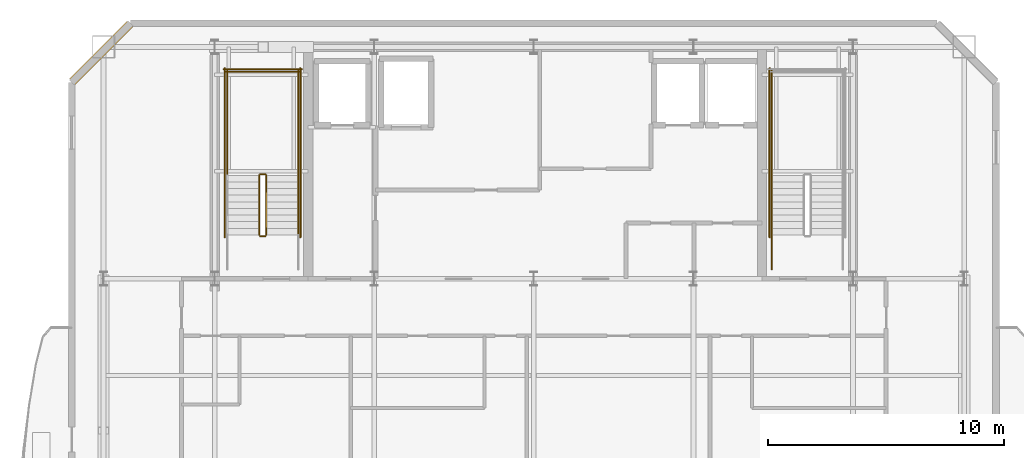
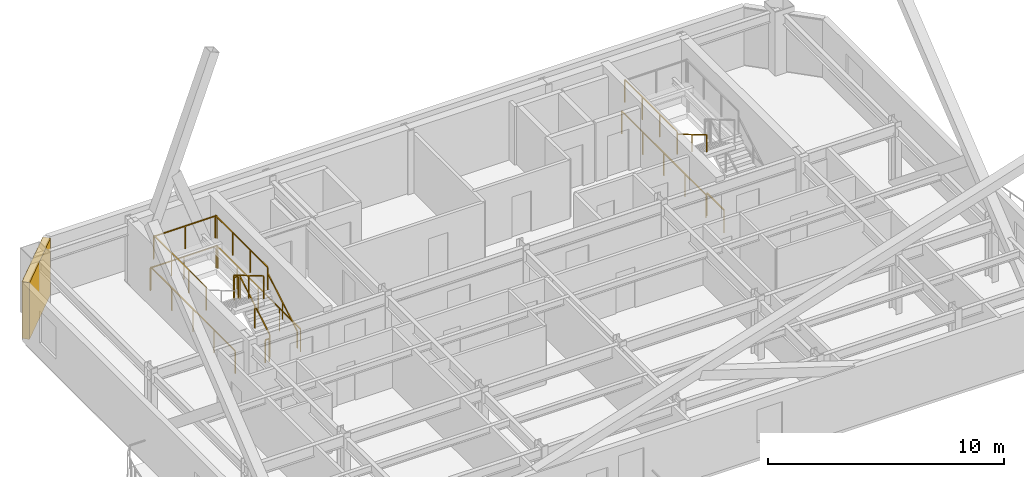
# One storey, part 6 of 7: 15 railings, 1 shading device.
"""IFC4 building model written with IfcOpenShell, lengths in metres."""

from ifc_helpers import new_model, si_unit, direction, frame, origin, origin_2d, place, context, subcontext, project, spatial, rectangle, extrude, material, layer, layer_set, type_object, element, save


model = new_model("IFC4")

# Units and contexts
model_context = context("Model", 3, precision=1e-05, world=origin(), true_north=direction((0.0, 1.0)))
body_context = subcontext(model_context, "Body", "Model", "MODEL_VIEW")
ifc_project = project(units=[si_unit("LENGTHUNIT", "METRE"), si_unit("AREAUNIT", "SQUARE_METRE"), si_unit("VOLUMEUNIT", "CUBIC_METRE"), si_unit("PLANEANGLEUNIT", "RADIAN"), si_unit("MASSUNIT", "GRAM", prefix="KILO")], contexts=[model_context])

# Site, building, storey
site_placement = place(None, origin())
site = spatial("IfcSite", under=ifc_project, at=site_placement, CompositionType="ELEMENT")
building_placement = place(site_placement, origin())
building = spatial("IfcBuilding", under=site, at=building_placement, Name="Haevon Station Towers", CompositionType="ELEMENT")
storey_placement = place(building_placement, frame((0.0, 0.0, 259.199951171875)))
storey = spatial("IfcBuildingStorey", under=building, at=storey_placement, Name="L72", CompositionType="ELEMENT", Elevation=259.199951171875)

# Railings
ifc_material_1 = material(Name="Steel S355", Category="steel")
railing_type_1 = type_object("IfcRailingType", Name="GRD-STR1200", PredefinedType="GUARDRAIL", material=ifc_material_1)
railing_1_placement = place(storey_placement, frame((26.179931640625, 40.050048828125, 0.1650390625)))
element("IfcRailing", 1, at=railing_1_placement, inside=storey, type_object=railing_type_1, Name="L72 ST1 Stair Guard 1", PredefinedType="GUARDRAIL", context=body_context, shape_type="SweptSolid", body=[
    extrude(rectangle(XDim=0.048095703125, YDim=0.048095703125, at=origin_2d()), frame((0.0, 0.0, 1.17578125), z_axis=(0.0, 0.86152411907, 0.507716645641), x_axis=(-1.0, 0.0, 0.0)), (0.0, 0.0, 1.0), 2.925048828125),
    extrude(rectangle(XDim=0.0419921875, YDim=0.0419921875, at=origin_2d()), origin(), (0.0, 0.0, 1.0), 1.15185546875),
    extrude(rectangle(XDim=0.0419921875, YDim=0.0419921875, at=origin_2d()), frame((0.0, 1.260009765625, 0.74267578125)), (0.0, 0.0, 1.0), 1.15185546875),
    extrude(rectangle(XDim=0.0419921875, YDim=0.0419921875, at=origin_2d()), frame((0.0, 2.52001953125, 1.485107421875)), (0.0, 0.0, 1.0), 1.15185546875),
])
railing_2_placement = place(storey_placement, frame((26.1298828125, 42.6201171875, 1.650146484375)))
element("IfcRailing", 2, at=railing_2_placement, inside=storey, type_object=railing_type_1, Name="L72 ST1 Stair Guard 2", PredefinedType="GUARDRAIL", context=body_context, shape_type="SweptSolid", body=[
    extrude(rectangle(XDim=0.048095703125, YDim=0.048095703125, at=origin_2d()), frame((0.0, 0.0, 1.17578125), z_axis=(-1.0, 0.0, 0.0), x_axis=(0.0, -1.0, 0.0)), (0.0, 0.0, 1.0), 0.199951171875),
    extrude(rectangle(XDim=0.0419921875, YDim=0.0419921875, at=origin_2d()), origin(), (0.0, 0.0, 1.0), 1.15185546875),
    extrude(rectangle(XDim=0.0419921875, YDim=0.0419921875, at=origin_2d()), frame((-0.199951171875, 0.0, 0.0)), (0.0, 0.0, 1.0), 1.15185546875),
])
for number, where, name in (
    (3, (27.530029296875, 42.570068359375, 1.650146484375), "L72 ST1 Stair Guard 3"),
    (4, (24.530029296875, 42.570068359375, 1.650146484375), "L72 ST1 Stair Guard 4"),
):
    element("IfcRailing", number, at=place(storey_placement, frame(where)), inside=storey, type_object=railing_type_1, Name=name, PredefinedType="GUARDRAIL", context=body_context, shape_type="SweptSolid", body=[
        extrude(rectangle(XDim=0.048095703125, YDim=0.048095703125, at=origin_2d()), frame((0.0, 0.0, 1.17578125), z_axis=(0.0, 1.0, 0.0), x_axis=(-1.0, 0.0, 0.0)), (0.0, 0.0, 1.0), 4.429931640625),
        extrude(rectangle(XDim=0.0419921875, YDim=0.0419921875, at=origin_2d()), origin(), (0.0, 0.0, 1.0), 1.15185546875),
        extrude(rectangle(XDim=0.0419921875, YDim=0.0419921875, at=origin_2d()), frame((0.0, 1.4765625, 0.0)), (0.0, 0.0, 1.0), 1.15185546875),
        extrude(rectangle(XDim=0.0419921875, YDim=0.0419921875, at=origin_2d()), frame((0.0, 2.953369140625, 0.0)), (0.0, 0.0, 1.0), 1.15185546875),
        extrude(rectangle(XDim=0.0419921875, YDim=0.0419921875, at=origin_2d()), frame((0.0, 4.429931640625, 0.0)), (0.0, 0.0, 1.0), 1.15185546875),
    ])
railing_3_placement = place(storey_placement, frame((27.580078125, 46.949951171875, 1.650146484375)))
element("IfcRailing", 5, at=railing_3_placement, inside=storey, type_object=railing_type_1, Name="L72 ST1 Stair Guard 5", PredefinedType="GUARDRAIL", context=body_context, shape_type="SweptSolid", body=[
    extrude(rectangle(XDim=0.048095703125, YDim=0.048095703125, at=origin_2d()), frame((0.0, 0.0, 1.17578125), z_axis=(-1.0, 0.0, 0.0), x_axis=(0.0, -1.0, 0.0)), (0.0, 0.0, 1.0), 3.10009765625),
    extrude(rectangle(XDim=0.0419921875, YDim=0.0419921875, at=origin_2d()), origin(), (0.0, 0.0, 1.0), 1.15185546875),
    extrude(rectangle(XDim=0.0419921875, YDim=0.0419921875, at=origin_2d()), frame((-1.550048828125, 0.0, 0.0)), (0.0, 0.0, 1.0), 1.15185546875),
    extrude(rectangle(XDim=0.0419921875, YDim=0.0419921875, at=origin_2d()), frame((-3.10009765625, 0.0, 0.0)), (0.0, 0.0, 1.0), 1.15185546875),
])
railing_4_placement = place(storey_placement, frame((25.8798828125, 42.570068359375, 1.81494140625)))
element("IfcRailing", 6, at=railing_4_placement, inside=storey, type_object=railing_type_1, Name="L72 ST1 Stair Guard 6", PredefinedType="GUARDRAIL", context=body_context, shape_type="SweptSolid", body=[
    extrude(rectangle(XDim=0.048095703125, YDim=0.048095703125, at=origin_2d()), frame((0.0, 0.0, 1.17578125), z_axis=(0.0, -0.86152411907, 0.507716645641), x_axis=(1.0, 0.0, 0.0)), (0.0, 0.0, 1.0), 2.925048828125),
    extrude(rectangle(XDim=0.0419921875, YDim=0.0419921875, at=origin_2d()), origin(), (0.0, 0.0, 1.0), 1.15185546875),
    extrude(rectangle(XDim=0.0419921875, YDim=0.0419921875, at=origin_2d()), frame((0.0, -1.260009765625, 0.74267578125)), (0.0, 0.0, 1.0), 1.15185546875),
    extrude(rectangle(XDim=0.0419921875, YDim=0.0419921875, at=origin_2d()), frame((0.0, -2.52001953125, 1.485107421875)), (0.0, 0.0, 1.0), 1.15185546875),
])
railing_5_placement = place(storey_placement, frame((26.1298828125, 40.0, 0.0)))
element("IfcRailing", 7, at=railing_5_placement, inside=storey, type_object=railing_type_1, Name="L72 ST1 Stair Guard 7", PredefinedType="GUARDRAIL", context=body_context, shape_type="SweptSolid", body=[
    extrude(rectangle(XDim=0.048095703125, YDim=0.048095703125, at=origin_2d()), frame((0.0, 0.0, 1.17578125), z_axis=(-1.0, 0.0, 0.0), x_axis=(0.0, -1.0, 0.0)), (0.0, 0.0, 1.0), 0.199951171875),
    extrude(rectangle(XDim=0.0419921875, YDim=0.0419921875, at=origin_2d()), origin(), (0.0, 0.0, 1.0), 1.15185546875),
    extrude(rectangle(XDim=0.0419921875, YDim=0.0419921875, at=origin_2d()), frame((-0.199951171875, 0.0, 0.0)), (0.0, 0.0, 1.0), 1.15185546875),
])
for number, where, name in (
    (8, (27.6298828125, 39.949951171875, 0.0), "L72 ST1 Stair Guard 10"),
    (9, (24.429931640625, 39.949951171875, 0.0), "L72 ST1 Stair Guard 11"),
):
    element("IfcRailing", number, at=place(storey_placement, frame(where)), inside=storey, type_object=railing_type_1, Name=name, PredefinedType="GUARDRAIL", context=body_context, shape_type="SweptSolid", body=[
        extrude(rectangle(XDim=0.048095703125, YDim=0.048095703125, at=origin_2d()), frame((0.0, 0.0, 1.17578125), z_axis=(0.0, 1.0, 0.0), x_axis=(-1.0, 0.0, 0.0)), (0.0, 0.0, 1.0), 7.150146484375),
        extrude(rectangle(XDim=0.0419921875, YDim=0.0419921875, at=origin_2d()), origin(), (0.0, 0.0, 1.0), 1.15185546875),
        extrude(rectangle(XDim=0.0419921875, YDim=0.0419921875, at=origin_2d()), frame((0.0, 1.78759765625, 0.0)), (0.0, 0.0, 1.0), 1.15185546875),
        extrude(rectangle(XDim=0.0419921875, YDim=0.0419921875, at=origin_2d()), frame((0.0, 3.5751953125, 0.0)), (0.0, 0.0, 1.0), 1.15185546875),
        extrude(rectangle(XDim=0.0419921875, YDim=0.0419921875, at=origin_2d()), frame((0.0, 5.362548828125, 0.0)), (0.0, 0.0, 1.0), 1.15185546875),
        extrude(rectangle(XDim=0.0419921875, YDim=0.0419921875, at=origin_2d()), frame((0.0, 7.150146484375, 0.0)), (0.0, 0.0, 1.0), 1.15185546875),
    ])
railing_6_placement = place(storey_placement, frame((27.679931640625, 47.050048828125, 0.0)))
element("IfcRailing", 10, at=railing_6_placement, inside=storey, type_object=railing_type_1, Name="L72 ST1 Stair Guard 12", PredefinedType="GUARDRAIL", context=body_context, shape_type="SweptSolid", body=[
    extrude(rectangle(XDim=0.048095703125, YDim=0.048095703125, at=origin_2d()), frame((0.0, 0.0, 1.17578125), z_axis=(-1.0, 0.0, 0.0), x_axis=(0.0, -1.0, 0.0)), (0.0, 0.0, 1.0), 3.300048828125),
    extrude(rectangle(XDim=0.0419921875, YDim=0.0419921875, at=origin_2d()), origin(), (0.0, 0.0, 1.0), 1.15185546875),
    extrude(rectangle(XDim=0.0419921875, YDim=0.0419921875, at=origin_2d()), frame((-1.64990234375, 0.0, 0.0)), (0.0, 0.0, 1.0), 1.15185546875),
    extrude(rectangle(XDim=0.0419921875, YDim=0.0419921875, at=origin_2d()), frame((-3.300048828125, 0.0, 0.0)), (0.0, 0.0, 1.0), 1.15185546875),
])
railing_7_placement = place(storey_placement, frame((47.570068359375, 42.570068359375, 1.650146484375)))
element("IfcRailing", 11, at=railing_7_placement, inside=storey, type_object=railing_type_1, Name="L72 ST2 Stair Guard 4", PredefinedType="GUARDRAIL", context=body_context, shape_type="SweptSolid", body=[
    extrude(rectangle(XDim=0.048095703125, YDim=0.048095703125, at=origin_2d()), frame((0.0, 0.0, 1.17578125), z_axis=(0.0, 1.0, 0.0), x_axis=(-1.0, 0.0, 0.0)), (0.0, 0.0, 1.0), 4.429931640625),
    extrude(rectangle(XDim=0.0419921875, YDim=0.0419921875, at=origin_2d()), origin(), (0.0, 0.0, 1.0), 1.15185546875),
    extrude(rectangle(XDim=0.0419921875, YDim=0.0419921875, at=origin_2d()), frame((0.0, 1.4765625, 0.0)), (0.0, 0.0, 1.0), 1.15185546875),
    extrude(rectangle(XDim=0.0419921875, YDim=0.0419921875, at=origin_2d()), frame((0.0, 2.953369140625, 0.0)), (0.0, 0.0, 1.0), 1.15185546875),
    extrude(rectangle(XDim=0.0419921875, YDim=0.0419921875, at=origin_2d()), frame((0.0, 4.429931640625, 0.0)), (0.0, 0.0, 1.0), 1.15185546875),
])
railing_8_placement = place(storey_placement, frame((47.570068359375, 38.60009765625, 0.0)))
element("IfcRailing", 12, at=railing_8_placement, inside=storey, type_object=railing_type_1, Name="L72 ST2 Stair Guard 9", PredefinedType="GUARDRAIL", context=body_context, shape_type="SweptSolid", body=[
    extrude(rectangle(XDim=0.048095703125, YDim=0.048095703125, at=origin_2d()), frame((0.0, 0.0, 1.17578125), z_axis=(0.0, 1.0, 0.0), x_axis=(-1.0, 0.0, 0.0)), (0.0, 0.0, 1.0), 1.449951171875),
    extrude(rectangle(XDim=0.0419921875, YDim=0.0419921875, at=origin_2d()), origin(), (0.0, 0.0, 1.0), 1.15185546875),
    extrude(rectangle(XDim=0.0419921875, YDim=0.0419921875, at=origin_2d()), frame((0.0, 1.449951171875, 0.0)), (0.0, 0.0, 1.0), 1.15185546875),
])
railing_9_placement = place(storey_placement, frame((47.469970703125, 39.949951171875, 0.0)))
element("IfcRailing", 13, at=railing_9_placement, inside=storey, type_object=railing_type_1, Name="L72 ST2 Stair Guard 11", PredefinedType="GUARDRAIL", context=body_context, shape_type="SweptSolid", body=[
    extrude(rectangle(XDim=0.048095703125, YDim=0.048095703125, at=origin_2d()), frame((0.0, 0.0, 1.17578125), z_axis=(0.0, 1.0, 0.0), x_axis=(-1.0, 0.0, 0.0)), (0.0, 0.0, 1.0), 7.150146484375),
    extrude(rectangle(XDim=0.0419921875, YDim=0.0419921875, at=origin_2d()), origin(), (0.0, 0.0, 1.0), 1.15185546875),
    extrude(rectangle(XDim=0.0419921875, YDim=0.0419921875, at=origin_2d()), frame((0.0, 1.78759765625, 0.0)), (0.0, 0.0, 1.0), 1.15185546875),
    extrude(rectangle(XDim=0.0419921875, YDim=0.0419921875, at=origin_2d()), frame((0.0, 3.5751953125, 0.0)), (0.0, 0.0, 1.0), 1.15185546875),
    extrude(rectangle(XDim=0.0419921875, YDim=0.0419921875, at=origin_2d()), frame((0.0, 5.362548828125, 0.0)), (0.0, 0.0, 1.0), 1.15185546875),
    extrude(rectangle(XDim=0.0419921875, YDim=0.0419921875, at=origin_2d()), frame((0.0, 7.150146484375, 0.0)), (0.0, 0.0, 1.0), 1.15185546875),
])
railing_type_2 = type_object("IfcRailingType", Name="HND-STR900", PredefinedType="HANDRAIL", material=ifc_material_1)
railing_10_placement = place(storey_placement, frame((27.530029296875, 40.050048828125, 0.1650390625)))
element("IfcRailing", 14, at=railing_10_placement, inside=storey, type_object=railing_type_2, Name="L72 ST1 Stair Handrail 1", PredefinedType="HANDRAIL", context=body_context, shape_type="SweptSolid", body=[
    extrude(rectangle(XDim=0.048095703125, YDim=0.048095703125, at=origin_2d()), frame((0.0, 0.0, 0.8759765625), z_axis=(0.0, 0.86152411907, 0.507716645641), x_axis=(-1.0, 0.0, 0.0)), (0.0, 0.0, 1.0), 2.925048828125),
    extrude(rectangle(XDim=0.0419921875, YDim=0.0419921875, at=origin_2d()), origin(), (0.0, 0.0, 1.0), 0.851806640625),
    extrude(rectangle(XDim=0.0419921875, YDim=0.0419921875, at=origin_2d()), frame((0.0, 1.260009765625, 0.74267578125)), (0.0, 0.0, 1.0), 0.851806640625),
    extrude(rectangle(XDim=0.0419921875, YDim=0.0419921875, at=origin_2d()), frame((0.0, 2.52001953125, 1.485107421875)), (0.0, 0.0, 1.0), 0.851806640625),
])
railing_11_placement = place(storey_placement, frame((47.570068359375, 42.570068359375, 1.81494140625)))
element("IfcRailing", 15, at=railing_11_placement, inside=storey, type_object=railing_type_2, Name="L72 ST2 Stair Handrail 2", PredefinedType="HANDRAIL", context=body_context, shape_type="SweptSolid", body=[
    extrude(rectangle(XDim=0.048095703125, YDim=0.048095703125, at=origin_2d()), frame((0.0, 0.0, 0.8759765625), z_axis=(0.0, -0.86152411907, 0.507716645641), x_axis=(1.0, 0.0, 0.0)), (0.0, 0.0, 1.0), 2.925048828125),
    extrude(rectangle(XDim=0.0419921875, YDim=0.0419921875, at=origin_2d()), origin(), (0.0, 0.0, 1.0), 0.851806640625),
    extrude(rectangle(XDim=0.0419921875, YDim=0.0419921875, at=origin_2d()), frame((0.0, -1.260009765625, 0.74267578125)), (0.0, 0.0, 1.0), 0.851806640625),
    extrude(rectangle(XDim=0.0419921875, YDim=0.0419921875, at=origin_2d()), frame((0.0, -2.52001953125, 1.485107421875)), (0.0, 0.0, 1.0), 0.851806640625),
])

# Shading device
ifc_material_2 = material(Name="Anodised aluminium 6063-T6", Category="aluminium")
ifc_layer = layer(ifc_material_2, 0.139892578125)
ifc_layer_set = layer_set([ifc_layer], Name="Anodised aluminium 6063-T6")
shading_device_type = type_object("IfcShadingDeviceType", Name="SHD-WIND-BAFFLE", PredefinedType="SHUTTER", material=ifc_layer_set)
shading_device_placement = place(storey_placement, frame((19.199951171875, 47.75, 0.05029296875), z_axis=(0.0, 0.0, 1.0), x_axis=(0.707106781187, 0.707106781187, 0.0)))
element("IfcShadingDevice", 16, at=shading_device_placement, inside=storey, type_object=shading_device_type, Name="Tower 1 L72 Wind-Corner Aerofoil Baffle NWC", PredefinedType="SHUTTER", context=body_context, shape_type="SweptSolid", body=[
    extrude(rectangle(XDim=3.435546875, YDim=0.340087890625, at=origin_2d()), origin(), (0.0, 0.0, 1.0), 2.929931640625),
])

save(model, "model.ifc")
